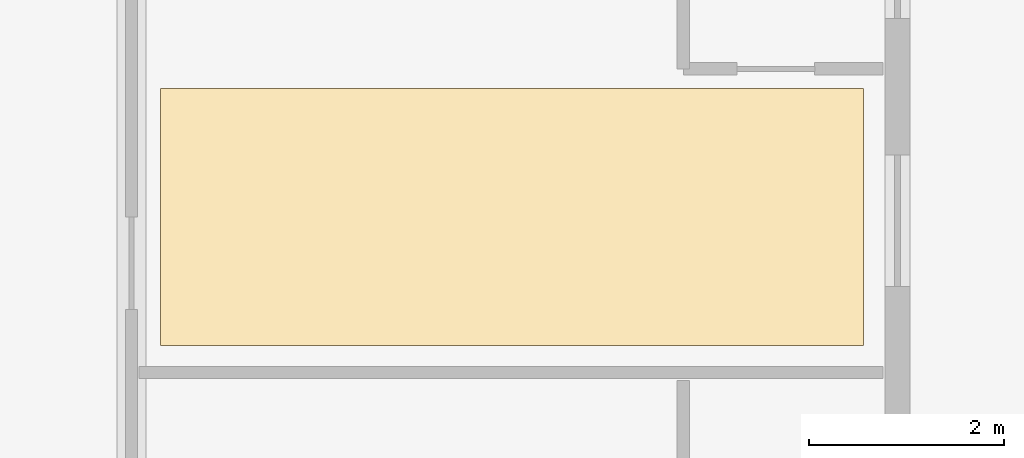
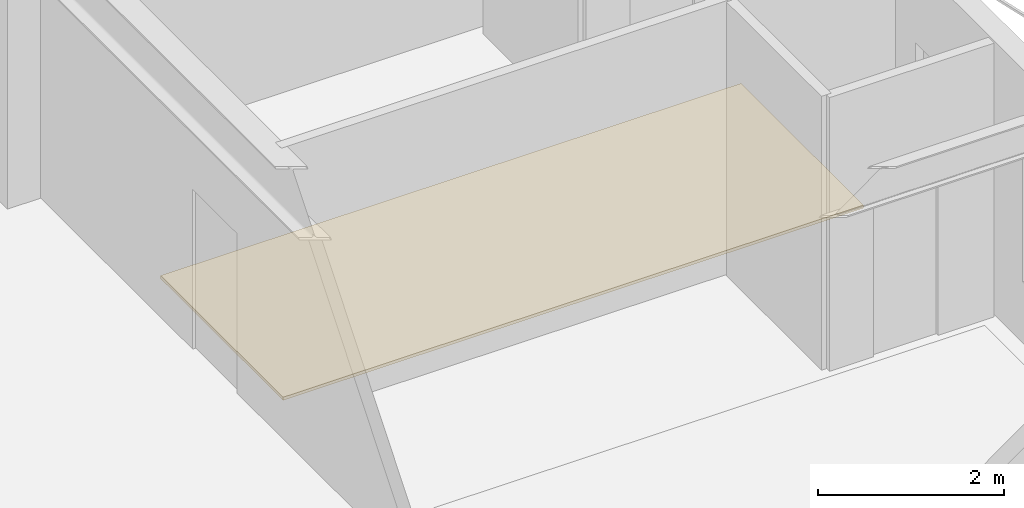
# One storey, part 12 of 13: 1 covering.
"""IFC4 building model written with IfcOpenShell, lengths in metres."""

from ifc_helpers import new_model, si_unit, direction, frame, origin, place, context, subcontext, project, spatial, polyline, outline, extrude, material, layer, layer_set, type_object, element, save


model = new_model("IFC4")

# Units and contexts
model_context = context("Model", 3, precision=1e-05, world=origin(), true_north=direction((0.0, 1.0)))
body_context = subcontext(model_context, "Body", "Model", "MODEL_VIEW")
ifc_project = project(units=[si_unit("LENGTHUNIT", "METRE"), si_unit("AREAUNIT", "SQUARE_METRE"), si_unit("VOLUMEUNIT", "CUBIC_METRE"), si_unit("PLANEANGLEUNIT", "RADIAN"), si_unit("MASSUNIT", "GRAM", prefix="KILO")], contexts=[model_context])

# Site, building, storey
site_placement = place(None, origin())
site = spatial("IfcSite", under=ifc_project, at=site_placement, CompositionType="ELEMENT")
building_placement = place(site_placement, origin())
building = spatial("IfcBuilding", under=site, at=building_placement, Name="Kundavana Baori Tower", CompositionType="ELEMENT")
storey_placement = place(building_placement, frame((0.0, 0.0, 169.449951171875)))
storey = spatial("IfcBuildingStorey", under=building, at=storey_placement, Name="L41", CompositionType="ELEMENT", Elevation=169.449951171875)

# Covering
ifc_material = material(Name="Honed Kota Stone and Terrazzo Flooring", Category="masonry")
ifc_layer = layer(ifc_material, 0.0400390625, Name="COV-FLR-TERR-40")
ifc_layer_set = layer_set([ifc_layer], Name="Honed Kota Stone and Terrazzo Flooring")
covering_type = type_object("IfcCoveringType", Name="COV-FLR-TERR-40", PredefinedType="FLOORING", material=ifc_layer_set)
covering_placement = place(storey_placement, origin())
element("IfcCovering", 1, at=covering_placement, inside=storey, type_object=covering_type, Name="L41 Room Finished Stone Flooring 10", PredefinedType="FLOORING", context=body_context, shape_type="SweptSolid", body=[
    extrude(outline(polyline([(43.10009765625, 36.8798828125), (50.320068359375, 36.8798828125), (50.320068359375, 39.52001953125), (43.10009765625, 39.52001953125), (43.10009765625, 36.8798828125)])), origin(), (0.0, 0.0, 1.0), 0.0400390625),
])

save(model, "model.ifc")
